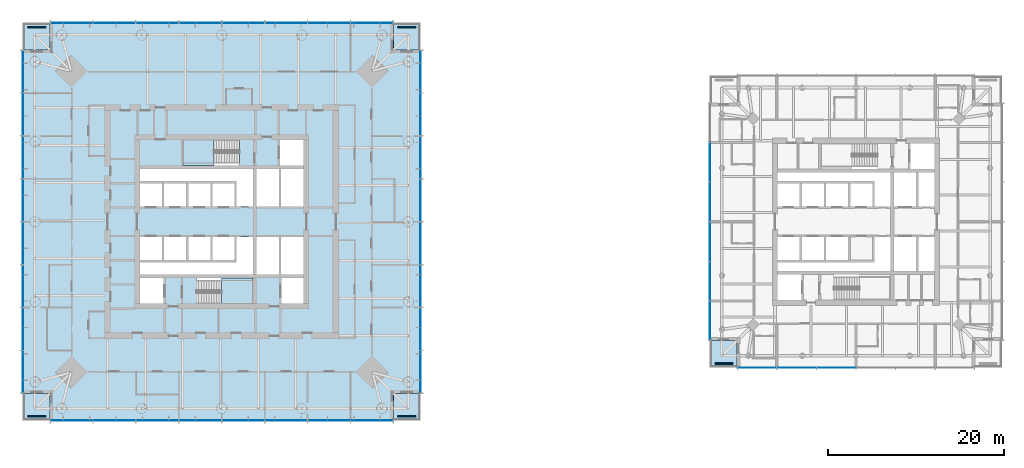
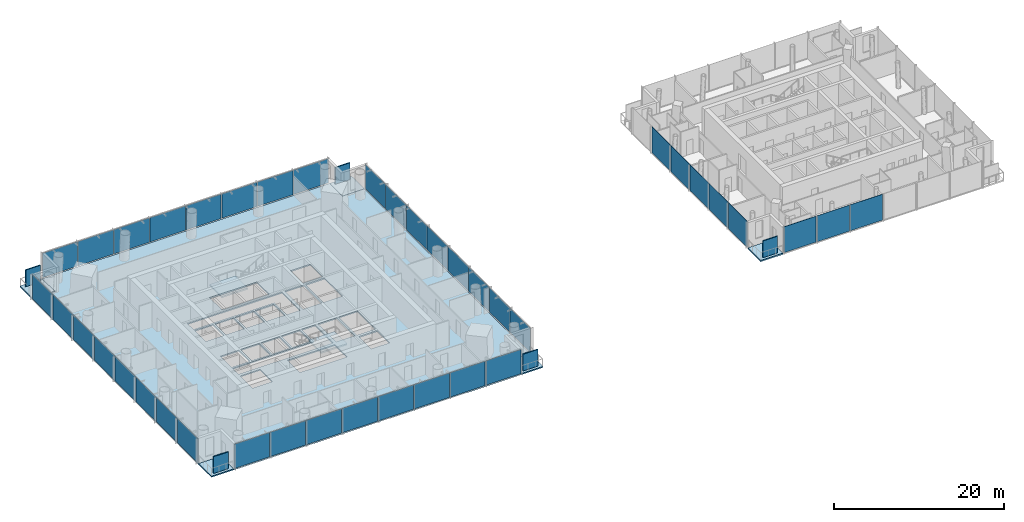
# One storey, part 7 of 20: 45 plates, 8 slabs, 8 elements without a shape of their own.
"""IFC4 building model written with IfcOpenShell, lengths in metres."""

from ifc_helpers import new_model, si_unit, direction, frame, origin, origin_2d, place, context, subcontext, project, spatial, polyline, rectangle, outline, extrude, material, layer, layer_set, type_object, element, aggregate, save


model = new_model("IFC4")

# Units and contexts
model_context = context("Model", 3, precision=1e-05, world=origin(), true_north=direction((0.0, 1.0)))
body_context = subcontext(model_context, "Body", "Model", "MODEL_VIEW")
ifc_project = project(units=[si_unit("LENGTHUNIT", "METRE"), si_unit("AREAUNIT", "SQUARE_METRE"), si_unit("VOLUMEUNIT", "CUBIC_METRE"), si_unit("PLANEANGLEUNIT", "RADIAN"), si_unit("MASSUNIT", "GRAM", prefix="KILO")], contexts=[model_context])

# Site, building, storey
site_placement = place(None, origin())
site = spatial("IfcSite", under=ifc_project, at=site_placement, CompositionType="ELEMENT")
building_placement = place(site_placement, origin())
building = spatial("IfcBuilding", under=site, at=building_placement, Name="Ostroluk Exchange", CompositionType="ELEMENT")
storey_placement = place(building_placement, frame((0.0, 0.0, 108.39990234375)))
storey = spatial("IfcBuildingStorey", under=building, at=storey_placement, Name="L27", CompositionType="ELEMENT", Elevation=108.39990234375)

# Curtain wall, plates
ifc_material_1 = material(Name="Laminated clear glass", Category="glass")
curtain_wall_type_1 = type_object("IfcCurtainWallType", Name="Hotel guest floor facade", PredefinedType="USERDEFINED", material=ifc_material_1)
curtain_wall_1_placement = place(storey_placement, origin())
curtain_wall_1 = element("IfcCurtainWall", 1, at=curtain_wall_1_placement, inside=storey, type_object=curtain_wall_type_1, Name="Hotel tower south facade L27", ObjectType="UNITISED CURTAIN WALL", PredefinedType="USERDEFINED")
ifc_material_2 = material(Name="Laminated clear glass", Category="glass")
ifc_layer_1 = layer(ifc_material_2, 0.0400390625)
ifc_layer_set_1 = layer_set([ifc_layer_1], Name="Acoustic laminated glazing 40")
plate_type_1 = type_object("IfcPlateType", Name="Acoustic laminated glazing 40", PredefinedType="CURTAIN_PANEL", material=ifc_layer_set_1)
plate_1_placement = place(storey_placement, frame((105.77001953125, 29.425048828125, 0.080078125), z_axis=(0.0, 0.0, 1.0), x_axis=(1.0, 0.0, 0.0)))
plate_1 = element("IfcPlate", 2, at=plate_1_placement, type_object=plate_type_1, Name="CW-H1 panel 1.1", PredefinedType="CURTAIN_PANEL", context=body_context, shape_type="SweptSolid", body=[
    extrude(rectangle(XDim=4.3798828125, YDim=0.0400390625, at=origin_2d()), origin(), (0.0, 0.0, 1.0), 3.719970703125),
])
plate_2_placement = place(storey_placement, frame((110.25, 29.425048828125, 0.080078125), z_axis=(0.0, 0.0, 1.0), x_axis=(1.0, 0.0, 0.0)))
plate_2 = element("IfcPlate", 3, at=plate_2_placement, type_object=plate_type_1, Name="CW-H1 panel 2.1", PredefinedType="CURTAIN_PANEL", context=body_context, shape_type="SweptSolid", body=[
    extrude(rectangle(XDim=4.419921875, YDim=0.0400390625, at=origin_2d()), origin(), (0.0, 0.0, 1.0), 3.719970703125),
])
plate_3_placement = place(storey_placement, frame((114.75, 29.425048828125, 0.080078125), z_axis=(0.0, 0.0, 1.0), x_axis=(1.0, 0.0, 0.0)))
plate_3 = element("IfcPlate", 4, at=plate_3_placement, type_object=plate_type_1, Name="CW-H1 panel 3.1", PredefinedType="CURTAIN_PANEL", context=body_context, shape_type="SweptSolid", body=[
    extrude(rectangle(XDim=4.419921875, YDim=0.0400390625, at=origin_2d()), origin(), (0.0, 0.0, 1.0), 3.719970703125),
])
aggregate(curtain_wall_1, [plate_1, plate_2, plate_3])

curtain_wall_2_placement = place(storey_placement, origin())
curtain_wall_2 = element("IfcCurtainWall", 5, at=curtain_wall_2_placement, inside=storey, type_object=curtain_wall_type_1, Name="Hotel tower west facade L27", ObjectType="UNITISED CURTAIN WALL", PredefinedType="USERDEFINED")
plate_4_placement = place(storey_placement, frame((100.425048828125, 52.75, 0.080078125), z_axis=(0.0, 0.0, 1.0), x_axis=(0.0, -1.0, 0.0)))
plate_4 = element("IfcPlate", 6, at=plate_4_placement, type_object=plate_type_1, Name="CW-H1 panel 2.1", PredefinedType="CURTAIN_PANEL", context=body_context, shape_type="SweptSolid", body=[
    extrude(rectangle(XDim=4.419921875, YDim=0.0400390625, at=origin_2d()), origin(), (0.0, 0.0, 1.0), 3.719970703125),
])
plate_5_placement = place(storey_placement, frame((100.425048828125, 48.25, 0.080078125), z_axis=(0.0, 0.0, 1.0), x_axis=(0.0, -1.0, 0.0)))
plate_5 = element("IfcPlate", 7, at=plate_5_placement, type_object=plate_type_1, Name="CW-H1 panel 3.1", PredefinedType="CURTAIN_PANEL", context=body_context, shape_type="SweptSolid", body=[
    extrude(rectangle(XDim=4.419921875, YDim=0.0400390625, at=origin_2d()), origin(), (0.0, 0.0, 1.0), 3.719970703125),
])
plate_6_placement = place(storey_placement, frame((100.425048828125, 43.75, 0.080078125), z_axis=(0.0, 0.0, 1.0), x_axis=(0.0, -1.0, 0.0)))
plate_6 = element("IfcPlate", 8, at=plate_6_placement, type_object=plate_type_1, Name="CW-H1 panel 4.1", PredefinedType="CURTAIN_PANEL", context=body_context, shape_type="SweptSolid", body=[
    extrude(rectangle(XDim=4.419921875, YDim=0.0400390625, at=origin_2d()), origin(), (0.0, 0.0, 1.0), 3.719970703125),
])
plate_7_placement = place(storey_placement, frame((100.425048828125, 39.25, 0.080078125), z_axis=(0.0, 0.0, 1.0), x_axis=(0.0, -1.0, 0.0)))
plate_7 = element("IfcPlate", 9, at=plate_7_placement, type_object=plate_type_1, Name="CW-H1 panel 5.1", PredefinedType="CURTAIN_PANEL", context=body_context, shape_type="SweptSolid", body=[
    extrude(rectangle(XDim=4.419921875, YDim=0.0400390625, at=origin_2d()), origin(), (0.0, 0.0, 1.0), 3.719970703125),
])
plate_8_placement = place(storey_placement, frame((100.425048828125, 34.77001953125, 0.080078125), z_axis=(0.0, 0.0, 1.0), x_axis=(0.0, -1.0, 0.0)))
plate_8 = element("IfcPlate", 10, at=plate_8_placement, type_object=plate_type_1, Name="CW-H1 panel 6.1", PredefinedType="CURTAIN_PANEL", context=body_context, shape_type="SweptSolid", body=[
    extrude(rectangle(XDim=4.3798828125, YDim=0.0400390625, at=origin_2d()), origin(), (0.0, 0.0, 1.0), 3.719970703125),
])
aggregate(curtain_wall_2, [plate_4, plate_5, plate_6, plate_7, plate_8])

# Slabs
ifc_material_3 = material(Name="Concrete C35/45", Category="concrete")
ifc_layer_2 = layer(ifc_material_3, 0.179931640625)
ifc_layer_set_2 = layer_set([ifc_layer_2], Name="Balcony slab 180")
slab_type_1 = type_object("IfcSlabType", Name="Balcony slab 180", PredefinedType="USERDEFINED", material=ifc_layer_set_2)
slab_1_placement = place(storey_placement, frame((0.0, 0.0, -0.179931640625)))
element("IfcSlab", 11, at=slab_1_placement, inside=storey, type_object=slab_type_1, Name="Office tower SE corner balcony L27", ObjectType="BALCONY", PredefinedType="USERDEFINED", context=body_context, shape_type="SweptSolid", body=[
    extrude(outline(polyline([(64.5, 23.5), (67.5, 23.5), (67.5, 26.5), (64.5, 26.5), (64.5, 23.5)])), origin(), (0.0, 0.0, 1.0), 0.179931640625),
])
slab_2_placement = place(storey_placement, frame((0.0, 0.0, -0.179931640625)))
element("IfcSlab", 12, at=slab_2_placement, inside=storey, type_object=slab_type_1, Name="Office tower NE corner balcony L27", ObjectType="BALCONY", PredefinedType="USERDEFINED", context=body_context, shape_type="SweptSolid", body=[
    extrude(outline(polyline([(64.5, 65.5), (67.5, 65.5), (67.5, 68.5), (64.5, 68.5), (64.5, 65.5)])), origin(), (0.0, 0.0, 1.0), 0.179931640625),
])
slab_3_placement = place(storey_placement, frame((0.0, 0.0, -0.179931640625)))
element("IfcSlab", 13, at=slab_3_placement, inside=storey, type_object=slab_type_1, Name="Office tower NW corner balcony L27", ObjectType="BALCONY", PredefinedType="USERDEFINED", context=body_context, shape_type="SweptSolid", body=[
    extrude(outline(polyline([(22.5, 65.5), (25.5, 65.5), (25.5, 68.5), (22.5, 68.5), (22.5, 65.5)])), origin(), (0.0, 0.0, 1.0), 0.179931640625),
])
slab_4_placement = place(storey_placement, frame((0.0, 0.0, -0.179931640625)))
element("IfcSlab", 14, at=slab_4_placement, inside=storey, type_object=slab_type_1, Name="Office tower SW corner balcony L27", ObjectType="BALCONY", PredefinedType="USERDEFINED", context=body_context, shape_type="SweptSolid", body=[
    extrude(outline(polyline([(22.5, 23.5), (25.5, 23.5), (25.5, 26.5), (22.5, 26.5), (22.5, 23.5)])), origin(), (0.0, 0.0, 1.0), 0.179931640625),
])
ifc_material_4 = material(Name="Concrete C35/45", Category="concrete")
ifc_layer_3 = layer(ifc_material_4, 0.199951171875)
ifc_layer_set_3 = layer_set([ifc_layer_3], Name="Balcony slab 200")
slab_type_2 = type_object("IfcSlabType", Name="Balcony slab 200", PredefinedType="USERDEFINED", material=ifc_layer_set_3)
slab_5_placement = place(storey_placement, frame((0.0, 0.0, -0.199951171875)))
element("IfcSlab", 15, at=slab_5_placement, inside=storey, type_object=slab_type_2, Name="Hotel tower SW corner balcony L27", ObjectType="BALCONY", PredefinedType="USERDEFINED", context=body_context, shape_type="SweptSolid", body=[
    extrude(outline(polyline([(100.5, 29.5), (103.5, 29.5), (103.5, 32.5), (100.5, 32.5), (100.5, 29.5)])), origin(), (0.0, 0.0, 1.0), 0.199951171875),
])

# Plates
ifc_material_5 = material(Name="Steel S355 trellis with planting", Category="steel")
ifc_layer_4 = layer(ifc_material_5, 0.14990234375)
ifc_layer_set_4 = layer_set([ifc_layer_4], Name="Planted screen 150")
plate_type_2 = type_object("IfcPlateType", Name="Planted screen 150", PredefinedType="USERDEFINED", material=ifc_layer_set_4)
for number, where, z_axis, x_axis, name in (
    (16, (66.0, 23.925048828125, 0.000244140625), (0.0, 0.0, 1.0), (1.0, 0.0, 0.0), "Office tower SE planted screen L27"),
    (17, (66.0, 68.074951171875, 0.000244140625), (0.0, 0.0, 1.0), (1.0, 0.0, 0.0), "Office tower NE planted screen L27"),
    (18, (24.0, 68.074951171875, 0.000244140625), (0.0, 0.0, 1.0), (1.0, 0.0, 0.0), "Office tower NW planted screen L27"),
    (19, (24.0, 23.925048828125, 0.000244140625), (0.0, 0.0, 1.0), (1.0, 0.0, 0.0), "Office tower SW planted screen L27"),
    (20, (102.0, 29.925048828125, 0.000244140625), (0.0, 0.0, 1.0), (1.0, 0.0, 0.0), "Hotel tower SW planted screen L27"),
):
    element("IfcPlate", number, at=place(storey_placement, frame(where, z_axis=z_axis, x_axis=x_axis)), inside=storey, type_object=plate_type_2, Name=name, ObjectType="PLANTED SCREEN", PredefinedType="USERDEFINED", context=body_context, shape_type="SweptSolid", body=[
        extrude(rectangle(XDim=2.0, YDim=0.14990234375, at=origin_2d()), origin(), (0.0, 0.0, 1.0), 2.39990234375),
    ])

# Stair, slab
ifc_material_6 = material(Name="Concrete C30/37", Category="concrete")
stair_type = type_object("IfcStairType", Name="Exit stair half turn 3800", PredefinedType="HALF_TURN_STAIR", material=ifc_material_6)
stair_1_placement = place(storey_placement, origin())
stair_1 = element("IfcStair", 21, at=stair_1_placement, inside=storey, type_object=stair_type, Name="Stair T1-S1 L27", PredefinedType="HALF_TURN_STAIR")
ifc_material_7 = material(Name="Concrete C30/37", Category="concrete")
ifc_layer_5 = layer(ifc_material_7, 0.199951171875)
ifc_layer_set_5 = layer_set([ifc_layer_5], Name="Stair landing 200")
slab_type_3 = type_object("IfcSlabType", Name="Stair landing 200", PredefinedType="LANDING", material=ifc_layer_set_5)
slab_6_placement = place(storey_placement, frame((0.0, 0.0, 1.7001953125)))
slab_6 = element("IfcSlab", 22, at=slab_6_placement, type_object=slab_type_3, Name="T1-S1 landing 1", PredefinedType="LANDING", context=body_context, shape_type="SweptSolid", body=[
    extrude(outline(polyline([(45.0, 36.699951171875), (45.0, 39.60009765625), (48.530029296875, 39.60009765625), (48.530029296875, 36.699951171875), (45.0, 36.699951171875)])), origin(), (0.0, 0.0, 1.0), 0.199951171875),
])
aggregate(stair_1, [slab_6])

stair_2_placement = place(storey_placement, origin())
stair_2 = element("IfcStair", 23, at=stair_2_placement, inside=storey, type_object=stair_type, Name="Stair T1-S2 L27", PredefinedType="HALF_TURN_STAIR")
slab_7_placement = place(storey_placement, frame((0.0, 0.0, 1.7001953125)))
slab_7 = element("IfcSlab", 24, at=slab_7_placement, type_object=slab_type_3, Name="T1-S2 landing 1", PredefinedType="LANDING", context=body_context, shape_type="SweptSolid", body=[
    extrude(outline(polyline([(44.1298828125, 52.39990234375), (44.1298828125, 55.300048828125), (40.60009765625, 55.300048828125), (40.60009765625, 52.39990234375), (44.1298828125, 52.39990234375)])), origin(), (0.0, 0.0, 1.0), 0.199951171875),
])
aggregate(stair_2, [slab_7])

# Slab
ifc_material_8 = material(Name="Concrete C35/45", Category="concrete")
ifc_layer_6 = layer(ifc_material_8, 0.179931640625)
ifc_layer_set_6 = layer_set([ifc_layer_6], Name="Tower floor slab 180 composite")
slab_type_4 = type_object("IfcSlabType", Name="Tower floor slab 180 composite", PredefinedType="FLOOR", material=ifc_layer_set_6)
slab_8_placement = place(storey_placement, frame((0.0, 0.0, -0.179931640625)))
element("IfcSlab", 25, at=slab_8_placement, inside=storey, type_object=slab_type_4, Name="Office tower floor slab L27", PredefinedType="FLOOR", context=body_context, shape_type="SweptSolid", body=[
    extrude(outline(polyline([(25.5, 23.5), (64.5, 23.5), (64.5, 26.5), (67.5, 26.5), (67.5, 65.5), (64.5, 65.5), (64.5, 68.5), (25.5, 68.5), (25.5, 65.5), (22.5, 65.5), (22.5, 26.5), (25.5, 26.5), (25.5, 23.5)]), holes=[polyline([(35.699951171875, 36.699951171875), (38.39990234375, 36.699951171875), (38.39990234375, 39.60009765625), (35.699951171875, 39.60009765625), (35.699951171875, 36.699951171875)]), polyline([(42.110107421875, 36.699951171875), (48.530029296875, 36.699951171875), (48.530029296875, 39.60009765625), (42.110107421875, 39.60009765625), (42.110107421875, 36.699951171875)]), polyline([(51.800048828125, 36.699951171875), (54.300048828125, 36.699951171875), (54.300048828125, 39.60009765625), (51.800048828125, 39.60009765625), (51.800048828125, 36.699951171875)]), polyline([(40.60009765625, 52.39990234375), (47.02001953125, 52.39990234375), (47.02001953125, 55.300048828125), (40.60009765625, 55.300048828125), (40.60009765625, 52.39990234375)]), polyline([(51.60009765625, 52.39990234375), (54.300048828125, 52.39990234375), (54.300048828125, 55.300048828125), (51.60009765625, 55.300048828125), (51.60009765625, 52.39990234375)]), polyline([(35.699951171875, 47.75), (38.199951171875, 47.75), (38.199951171875, 50.35009765625), (35.699951171875, 50.35009765625), (35.699951171875, 47.75)]), polyline([(38.449951171875, 47.75), (40.949951171875, 47.75), (40.949951171875, 50.35009765625), (38.449951171875, 50.35009765625), (38.449951171875, 47.75)]), polyline([(41.199951171875, 47.75), (43.699951171875, 47.75), (43.699951171875, 50.35009765625), (41.199951171875, 50.35009765625), (41.199951171875, 47.75)]), polyline([(43.949951171875, 47.75), (46.449951171875, 47.75), (46.449951171875, 50.35009765625), (43.949951171875, 50.35009765625), (43.949951171875, 47.75)]), polyline([(35.699951171875, 41.64990234375), (38.199951171875, 41.64990234375), (38.199951171875, 44.25), (35.699951171875, 44.25), (35.699951171875, 41.64990234375)]), polyline([(38.449951171875, 41.64990234375), (40.949951171875, 41.64990234375), (40.949951171875, 44.25), (38.449951171875, 44.25), (38.449951171875, 41.64990234375)]), polyline([(41.199951171875, 41.64990234375), (43.699951171875, 41.64990234375), (43.699951171875, 44.25), (41.199951171875, 44.25), (41.199951171875, 41.64990234375)]), polyline([(43.949951171875, 41.64990234375), (46.449951171875, 41.64990234375), (46.449951171875, 44.25), (43.949951171875, 44.25), (43.949951171875, 41.64990234375)]), polyline([(48.929931640625, 47.75), (51.489990234375, 47.75), (51.489990234375, 52.0), (48.929931640625, 52.0), (48.929931640625, 47.75)]), polyline([(51.739990234375, 47.75), (54.300048828125, 47.75), (54.300048828125, 52.0), (51.739990234375, 52.0), (51.739990234375, 47.75)]), polyline([(48.929931640625, 40.0), (51.489990234375, 40.0), (51.489990234375, 44.25), (48.929931640625, 44.25), (48.929931640625, 40.0)]), polyline([(51.739990234375, 40.0), (54.300048828125, 40.0), (54.300048828125, 44.25), (51.739990234375, 44.25), (51.739990234375, 40.0)]), polyline([(48.530029296875, 52.0), (48.530029296875, 47.75), (46.699951171875, 47.75), (46.699951171875, 50.60009765625), (35.699951171875, 50.60009765625), (35.699951171875, 52.0), (48.530029296875, 52.0)]), polyline([(35.699951171875, 40.0), (35.699951171875, 41.39990234375), (46.699951171875, 41.39990234375), (46.699951171875, 44.25), (48.530029296875, 44.25), (48.530029296875, 40.0), (35.699951171875, 40.0)])]), origin(), (0.0, 0.0, 1.0), 0.179931640625),
])

# Curtain wall, plates
ifc_material_9 = material(Name="Laminated clear glass", Category="glass")
curtain_wall_type_2 = type_object("IfcCurtainWallType", Name="Office tower facade", PredefinedType="USERDEFINED", material=ifc_material_9)
curtain_wall_3_placement = place(storey_placement, origin())
curtain_wall_3 = element("IfcCurtainWall", 26, at=curtain_wall_3_placement, inside=storey, type_object=curtain_wall_type_2, Name="Office tower south facade L27", ObjectType="UNITISED CURTAIN WALL", PredefinedType="USERDEFINED")
ifc_material_10 = material(Name="Laminated clear glass", Category="glass")
ifc_layer_7 = layer(ifc_material_10, 0.0439453125)
ifc_layer_set_7 = layer_set([ifc_layer_7], Name="Triple laminated clear glazing 44")
plate_type_3 = type_object("IfcPlateType", Name="Triple laminated clear glazing 44", PredefinedType="CURTAIN_PANEL", material=ifc_layer_set_7)
plate_9_placement = place(storey_placement, frame((27.95751953125, 23.425048828125, 0.080078125), z_axis=(0.0, 0.0, 1.0), x_axis=(1.0, 0.0, 0.0)))
plate_9 = element("IfcPlate", 27, at=plate_9_placement, type_object=plate_type_3, Name="CW-O1 panel 1.1", PredefinedType="CURTAIN_PANEL", context=body_context, shape_type="SweptSolid", body=[
    extrude(rectangle(XDim=4.7548828125, YDim=0.0439453125, at=origin_2d()), origin(), (0.0, 0.0, 1.0), 3.489990234375),
])
plate_10_placement = place(storey_placement, frame((32.8125, 23.425048828125, 0.080078125), z_axis=(0.0, 0.0, 1.0), x_axis=(1.0, 0.0, 0.0)))
plate_10 = element("IfcPlate", 28, at=plate_10_placement, type_object=plate_type_3, Name="CW-O1 panel 2.1", PredefinedType="CURTAIN_PANEL", context=body_context, shape_type="SweptSolid", body=[
    extrude(rectangle(XDim=4.794921875, YDim=0.0439453125, at=origin_2d()), origin(), (0.0, 0.0, 1.0), 3.489990234375),
])
plate_11_placement = place(storey_placement, frame((37.6875, 23.425048828125, 0.080078125), z_axis=(0.0, 0.0, 1.0), x_axis=(1.0, 0.0, 0.0)))
plate_11 = element("IfcPlate", 29, at=plate_11_placement, type_object=plate_type_3, Name="CW-O1 panel 3.1", PredefinedType="CURTAIN_PANEL", context=body_context, shape_type="SweptSolid", body=[
    extrude(rectangle(XDim=4.794921875, YDim=0.0439453125, at=origin_2d()), origin(), (0.0, 0.0, 1.0), 3.489990234375),
])
plate_12_placement = place(storey_placement, frame((42.5625, 23.425048828125, 0.080078125), z_axis=(0.0, 0.0, 1.0), x_axis=(1.0, 0.0, 0.0)))
plate_12 = element("IfcPlate", 30, at=plate_12_placement, type_object=plate_type_3, Name="CW-O1 panel 4.1", PredefinedType="CURTAIN_PANEL", context=body_context, shape_type="SweptSolid", body=[
    extrude(rectangle(XDim=4.794921875, YDim=0.0439453125, at=origin_2d()), origin(), (0.0, 0.0, 1.0), 3.489990234375),
])
plate_13_placement = place(storey_placement, frame((47.4375, 23.425048828125, 0.080078125), z_axis=(0.0, 0.0, 1.0), x_axis=(1.0, 0.0, 0.0)))
plate_13 = element("IfcPlate", 31, at=plate_13_placement, type_object=plate_type_3, Name="CW-O1 panel 5.1", PredefinedType="CURTAIN_PANEL", context=body_context, shape_type="SweptSolid", body=[
    extrude(rectangle(XDim=4.794921875, YDim=0.0439453125, at=origin_2d()), origin(), (0.0, 0.0, 1.0), 3.489990234375),
])
plate_14_placement = place(storey_placement, frame((52.3125, 23.425048828125, 0.080078125), z_axis=(0.0, 0.0, 1.0), x_axis=(1.0, 0.0, 0.0)))
plate_14 = element("IfcPlate", 32, at=plate_14_placement, type_object=plate_type_3, Name="CW-O1 panel 6.1", PredefinedType="CURTAIN_PANEL", context=body_context, shape_type="SweptSolid", body=[
    extrude(rectangle(XDim=4.794921875, YDim=0.0439453125, at=origin_2d()), origin(), (0.0, 0.0, 1.0), 3.489990234375),
])
plate_15_placement = place(storey_placement, frame((57.1875, 23.425048828125, 0.080078125), z_axis=(0.0, 0.0, 1.0), x_axis=(1.0, 0.0, 0.0)))
plate_15 = element("IfcPlate", 33, at=plate_15_placement, type_object=plate_type_3, Name="CW-O1 panel 7.1", PredefinedType="CURTAIN_PANEL", context=body_context, shape_type="SweptSolid", body=[
    extrude(rectangle(XDim=4.794921875, YDim=0.0439453125, at=origin_2d()), origin(), (0.0, 0.0, 1.0), 3.489990234375),
])
plate_16_placement = place(storey_placement, frame((62.04248046875, 23.425048828125, 0.080078125), z_axis=(0.0, 0.0, 1.0), x_axis=(1.0, 0.0, 0.0)))
plate_16 = element("IfcPlate", 34, at=plate_16_placement, type_object=plate_type_3, Name="CW-O1 panel 8.1", PredefinedType="CURTAIN_PANEL", context=body_context, shape_type="SweptSolid", body=[
    extrude(rectangle(XDim=4.7548828125, YDim=0.0439453125, at=origin_2d()), origin(), (0.0, 0.0, 1.0), 3.489990234375),
])
aggregate(curtain_wall_3, [plate_9, plate_10, plate_11, plate_12, plate_13, plate_14, plate_15, plate_16])

curtain_wall_4_placement = place(storey_placement, origin())
curtain_wall_4 = element("IfcCurtainWall", 35, at=curtain_wall_4_placement, inside=storey, type_object=curtain_wall_type_2, Name="Office tower east facade L27", ObjectType="UNITISED CURTAIN WALL", PredefinedType="USERDEFINED")
plate_17_placement = place(storey_placement, frame((67.574951171875, 28.95751953125, 0.080078125), z_axis=(0.0, 0.0, 1.0), x_axis=(0.0, 1.0, 0.0)))
plate_17 = element("IfcPlate", 36, at=plate_17_placement, type_object=plate_type_3, Name="CW-O1 panel 1.1", PredefinedType="CURTAIN_PANEL", context=body_context, shape_type="SweptSolid", body=[
    extrude(rectangle(XDim=4.7548828125, YDim=0.0439453125, at=origin_2d()), origin(), (0.0, 0.0, 1.0), 3.489990234375),
])
plate_18_placement = place(storey_placement, frame((67.574951171875, 33.8125, 0.080078125), z_axis=(0.0, 0.0, 1.0), x_axis=(0.0, 1.0, 0.0)))
plate_18 = element("IfcPlate", 37, at=plate_18_placement, type_object=plate_type_3, Name="CW-O1 panel 2.1", PredefinedType="CURTAIN_PANEL", context=body_context, shape_type="SweptSolid", body=[
    extrude(rectangle(XDim=4.794921875, YDim=0.0439453125, at=origin_2d()), origin(), (0.0, 0.0, 1.0), 3.489990234375),
])
plate_19_placement = place(storey_placement, frame((67.574951171875, 38.6875, 0.080078125), z_axis=(0.0, 0.0, 1.0), x_axis=(0.0, 1.0, 0.0)))
plate_19 = element("IfcPlate", 38, at=plate_19_placement, type_object=plate_type_3, Name="CW-O1 panel 3.1", PredefinedType="CURTAIN_PANEL", context=body_context, shape_type="SweptSolid", body=[
    extrude(rectangle(XDim=4.794921875, YDim=0.0439453125, at=origin_2d()), origin(), (0.0, 0.0, 1.0), 3.489990234375),
])
plate_20_placement = place(storey_placement, frame((67.574951171875, 43.5625, 0.080078125), z_axis=(0.0, 0.0, 1.0), x_axis=(0.0, 1.0, 0.0)))
plate_20 = element("IfcPlate", 39, at=plate_20_placement, type_object=plate_type_3, Name="CW-O1 panel 4.1", PredefinedType="CURTAIN_PANEL", context=body_context, shape_type="SweptSolid", body=[
    extrude(rectangle(XDim=4.794921875, YDim=0.0439453125, at=origin_2d()), origin(), (0.0, 0.0, 1.0), 3.489990234375),
])
plate_21_placement = place(storey_placement, frame((67.574951171875, 48.4375, 0.080078125), z_axis=(0.0, 0.0, 1.0), x_axis=(0.0, 1.0, 0.0)))
plate_21 = element("IfcPlate", 40, at=plate_21_placement, type_object=plate_type_3, Name="CW-O1 panel 5.1", PredefinedType="CURTAIN_PANEL", context=body_context, shape_type="SweptSolid", body=[
    extrude(rectangle(XDim=4.794921875, YDim=0.0439453125, at=origin_2d()), origin(), (0.0, 0.0, 1.0), 3.489990234375),
])
plate_22_placement = place(storey_placement, frame((67.574951171875, 53.3125, 0.080078125), z_axis=(0.0, 0.0, 1.0), x_axis=(0.0, 1.0, 0.0)))
plate_22 = element("IfcPlate", 41, at=plate_22_placement, type_object=plate_type_3, Name="CW-O1 panel 6.1", PredefinedType="CURTAIN_PANEL", context=body_context, shape_type="SweptSolid", body=[
    extrude(rectangle(XDim=4.794921875, YDim=0.0439453125, at=origin_2d()), origin(), (0.0, 0.0, 1.0), 3.489990234375),
])
plate_23_placement = place(storey_placement, frame((67.574951171875, 58.1875, 0.080078125), z_axis=(0.0, 0.0, 1.0), x_axis=(0.0, 1.0, 0.0)))
plate_23 = element("IfcPlate", 42, at=plate_23_placement, type_object=plate_type_3, Name="CW-O1 panel 7.1", PredefinedType="CURTAIN_PANEL", context=body_context, shape_type="SweptSolid", body=[
    extrude(rectangle(XDim=4.794921875, YDim=0.0439453125, at=origin_2d()), origin(), (0.0, 0.0, 1.0), 3.489990234375),
])
plate_24_placement = place(storey_placement, frame((67.574951171875, 63.04248046875, 0.080078125), z_axis=(0.0, 0.0, 1.0), x_axis=(0.0, 1.0, 0.0)))
plate_24 = element("IfcPlate", 43, at=plate_24_placement, type_object=plate_type_3, Name="CW-O1 panel 8.1", PredefinedType="CURTAIN_PANEL", context=body_context, shape_type="SweptSolid", body=[
    extrude(rectangle(XDim=4.7548828125, YDim=0.0439453125, at=origin_2d()), origin(), (0.0, 0.0, 1.0), 3.489990234375),
])
aggregate(curtain_wall_4, [plate_17, plate_18, plate_19, plate_20, plate_21, plate_22, plate_23, plate_24])

curtain_wall_5_placement = place(storey_placement, origin())
curtain_wall_5 = element("IfcCurtainWall", 44, at=curtain_wall_5_placement, inside=storey, type_object=curtain_wall_type_2, Name="Office tower north facade L27", ObjectType="UNITISED CURTAIN WALL", PredefinedType="USERDEFINED")
plate_25_placement = place(storey_placement, frame((62.04248046875, 68.574951171875, 0.080078125), z_axis=(0.0, 0.0, 1.0), x_axis=(-1.0, 0.0, 0.0)))
plate_25 = element("IfcPlate", 45, at=plate_25_placement, type_object=plate_type_3, Name="CW-O1 panel 1.1", PredefinedType="CURTAIN_PANEL", context=body_context, shape_type="SweptSolid", body=[
    extrude(rectangle(XDim=4.7548828125, YDim=0.0439453125, at=origin_2d()), origin(), (0.0, 0.0, 1.0), 3.489990234375),
])
plate_26_placement = place(storey_placement, frame((57.1875, 68.574951171875, 0.080078125), z_axis=(0.0, 0.0, 1.0), x_axis=(-1.0, 0.0, 0.0)))
plate_26 = element("IfcPlate", 46, at=plate_26_placement, type_object=plate_type_3, Name="CW-O1 panel 2.1", PredefinedType="CURTAIN_PANEL", context=body_context, shape_type="SweptSolid", body=[
    extrude(rectangle(XDim=4.794921875, YDim=0.0439453125, at=origin_2d()), origin(), (0.0, 0.0, 1.0), 3.489990234375),
])
plate_27_placement = place(storey_placement, frame((52.3125, 68.574951171875, 0.080078125), z_axis=(0.0, 0.0, 1.0), x_axis=(-1.0, 0.0, 0.0)))
plate_27 = element("IfcPlate", 47, at=plate_27_placement, type_object=plate_type_3, Name="CW-O1 panel 3.1", PredefinedType="CURTAIN_PANEL", context=body_context, shape_type="SweptSolid", body=[
    extrude(rectangle(XDim=4.794921875, YDim=0.0439453125, at=origin_2d()), origin(), (0.0, 0.0, 1.0), 3.489990234375),
])
plate_28_placement = place(storey_placement, frame((47.4375, 68.574951171875, 0.080078125), z_axis=(0.0, 0.0, 1.0), x_axis=(-1.0, 0.0, 0.0)))
plate_28 = element("IfcPlate", 48, at=plate_28_placement, type_object=plate_type_3, Name="CW-O1 panel 4.1", PredefinedType="CURTAIN_PANEL", context=body_context, shape_type="SweptSolid", body=[
    extrude(rectangle(XDim=4.794921875, YDim=0.0439453125, at=origin_2d()), origin(), (0.0, 0.0, 1.0), 3.489990234375),
])
plate_29_placement = place(storey_placement, frame((42.5625, 68.574951171875, 0.080078125), z_axis=(0.0, 0.0, 1.0), x_axis=(-1.0, 0.0, 0.0)))
plate_29 = element("IfcPlate", 49, at=plate_29_placement, type_object=plate_type_3, Name="CW-O1 panel 5.1", PredefinedType="CURTAIN_PANEL", context=body_context, shape_type="SweptSolid", body=[
    extrude(rectangle(XDim=4.794921875, YDim=0.0439453125, at=origin_2d()), origin(), (0.0, 0.0, 1.0), 3.489990234375),
])
plate_30_placement = place(storey_placement, frame((37.6875, 68.574951171875, 0.080078125), z_axis=(0.0, 0.0, 1.0), x_axis=(-1.0, 0.0, 0.0)))
plate_30 = element("IfcPlate", 50, at=plate_30_placement, type_object=plate_type_3, Name="CW-O1 panel 6.1", PredefinedType="CURTAIN_PANEL", context=body_context, shape_type="SweptSolid", body=[
    extrude(rectangle(XDim=4.794921875, YDim=0.0439453125, at=origin_2d()), origin(), (0.0, 0.0, 1.0), 3.489990234375),
])
plate_31_placement = place(storey_placement, frame((32.8125, 68.574951171875, 0.080078125), z_axis=(0.0, 0.0, 1.0), x_axis=(-1.0, 0.0, 0.0)))
plate_31 = element("IfcPlate", 51, at=plate_31_placement, type_object=plate_type_3, Name="CW-O1 panel 7.1", PredefinedType="CURTAIN_PANEL", context=body_context, shape_type="SweptSolid", body=[
    extrude(rectangle(XDim=4.794921875, YDim=0.0439453125, at=origin_2d()), origin(), (0.0, 0.0, 1.0), 3.489990234375),
])
plate_32_placement = place(storey_placement, frame((27.95751953125, 68.574951171875, 0.080078125), z_axis=(0.0, 0.0, 1.0), x_axis=(-1.0, 0.0, 0.0)))
plate_32 = element("IfcPlate", 52, at=plate_32_placement, type_object=plate_type_3, Name="CW-O1 panel 8.1", PredefinedType="CURTAIN_PANEL", context=body_context, shape_type="SweptSolid", body=[
    extrude(rectangle(XDim=4.7548828125, YDim=0.0439453125, at=origin_2d()), origin(), (0.0, 0.0, 1.0), 3.489990234375),
])
aggregate(curtain_wall_5, [plate_25, plate_26, plate_27, plate_28, plate_29, plate_30, plate_31, plate_32])

curtain_wall_6_placement = place(storey_placement, origin())
curtain_wall_6 = element("IfcCurtainWall", 53, at=curtain_wall_6_placement, inside=storey, type_object=curtain_wall_type_2, Name="Office tower west facade L27", ObjectType="UNITISED CURTAIN WALL", PredefinedType="USERDEFINED")
plate_33_placement = place(storey_placement, frame((22.425048828125, 63.04248046875, 0.080078125), z_axis=(0.0, 0.0, 1.0), x_axis=(0.0, -1.0, 0.0)))
plate_33 = element("IfcPlate", 54, at=plate_33_placement, type_object=plate_type_3, Name="CW-O1 panel 1.1", PredefinedType="CURTAIN_PANEL", context=body_context, shape_type="SweptSolid", body=[
    extrude(rectangle(XDim=4.7548828125, YDim=0.0439453125, at=origin_2d()), origin(), (0.0, 0.0, 1.0), 3.489990234375),
])
plate_34_placement = place(storey_placement, frame((22.425048828125, 58.1875, 0.080078125), z_axis=(0.0, 0.0, 1.0), x_axis=(0.0, -1.0, 0.0)))
plate_34 = element("IfcPlate", 55, at=plate_34_placement, type_object=plate_type_3, Name="CW-O1 panel 2.1", PredefinedType="CURTAIN_PANEL", context=body_context, shape_type="SweptSolid", body=[
    extrude(rectangle(XDim=4.794921875, YDim=0.0439453125, at=origin_2d()), origin(), (0.0, 0.0, 1.0), 3.489990234375),
])
plate_35_placement = place(storey_placement, frame((22.425048828125, 53.3125, 0.080078125), z_axis=(0.0, 0.0, 1.0), x_axis=(0.0, -1.0, 0.0)))
plate_35 = element("IfcPlate", 56, at=plate_35_placement, type_object=plate_type_3, Name="CW-O1 panel 3.1", PredefinedType="CURTAIN_PANEL", context=body_context, shape_type="SweptSolid", body=[
    extrude(rectangle(XDim=4.794921875, YDim=0.0439453125, at=origin_2d()), origin(), (0.0, 0.0, 1.0), 3.489990234375),
])
plate_36_placement = place(storey_placement, frame((22.425048828125, 48.4375, 0.080078125), z_axis=(0.0, 0.0, 1.0), x_axis=(0.0, -1.0, 0.0)))
plate_36 = element("IfcPlate", 57, at=plate_36_placement, type_object=plate_type_3, Name="CW-O1 panel 4.1", PredefinedType="CURTAIN_PANEL", context=body_context, shape_type="SweptSolid", body=[
    extrude(rectangle(XDim=4.794921875, YDim=0.0439453125, at=origin_2d()), origin(), (0.0, 0.0, 1.0), 3.489990234375),
])
plate_37_placement = place(storey_placement, frame((22.425048828125, 43.5625, 0.080078125), z_axis=(0.0, 0.0, 1.0), x_axis=(0.0, -1.0, 0.0)))
plate_37 = element("IfcPlate", 58, at=plate_37_placement, type_object=plate_type_3, Name="CW-O1 panel 5.1", PredefinedType="CURTAIN_PANEL", context=body_context, shape_type="SweptSolid", body=[
    extrude(rectangle(XDim=4.794921875, YDim=0.0439453125, at=origin_2d()), origin(), (0.0, 0.0, 1.0), 3.489990234375),
])
plate_38_placement = place(storey_placement, frame((22.425048828125, 38.6875, 0.080078125), z_axis=(0.0, 0.0, 1.0), x_axis=(0.0, -1.0, 0.0)))
plate_38 = element("IfcPlate", 59, at=plate_38_placement, type_object=plate_type_3, Name="CW-O1 panel 6.1", PredefinedType="CURTAIN_PANEL", context=body_context, shape_type="SweptSolid", body=[
    extrude(rectangle(XDim=4.794921875, YDim=0.0439453125, at=origin_2d()), origin(), (0.0, 0.0, 1.0), 3.489990234375),
])
plate_39_placement = place(storey_placement, frame((22.425048828125, 33.8125, 0.080078125), z_axis=(0.0, 0.0, 1.0), x_axis=(0.0, -1.0, 0.0)))
plate_39 = element("IfcPlate", 60, at=plate_39_placement, type_object=plate_type_3, Name="CW-O1 panel 7.1", PredefinedType="CURTAIN_PANEL", context=body_context, shape_type="SweptSolid", body=[
    extrude(rectangle(XDim=4.794921875, YDim=0.0439453125, at=origin_2d()), origin(), (0.0, 0.0, 1.0), 3.489990234375),
])
plate_40_placement = place(storey_placement, frame((22.425048828125, 28.95751953125, 0.080078125), z_axis=(0.0, 0.0, 1.0), x_axis=(0.0, -1.0, 0.0)))
plate_40 = element("IfcPlate", 61, at=plate_40_placement, type_object=plate_type_3, Name="CW-O1 panel 8.1", PredefinedType="CURTAIN_PANEL", context=body_context, shape_type="SweptSolid", body=[
    extrude(rectangle(XDim=4.7548828125, YDim=0.0439453125, at=origin_2d()), origin(), (0.0, 0.0, 1.0), 3.489990234375),
])
aggregate(curtain_wall_6, [plate_33, plate_34, plate_35, plate_36, plate_37, plate_38, plate_39, plate_40])

save(model, "model.ifc")
